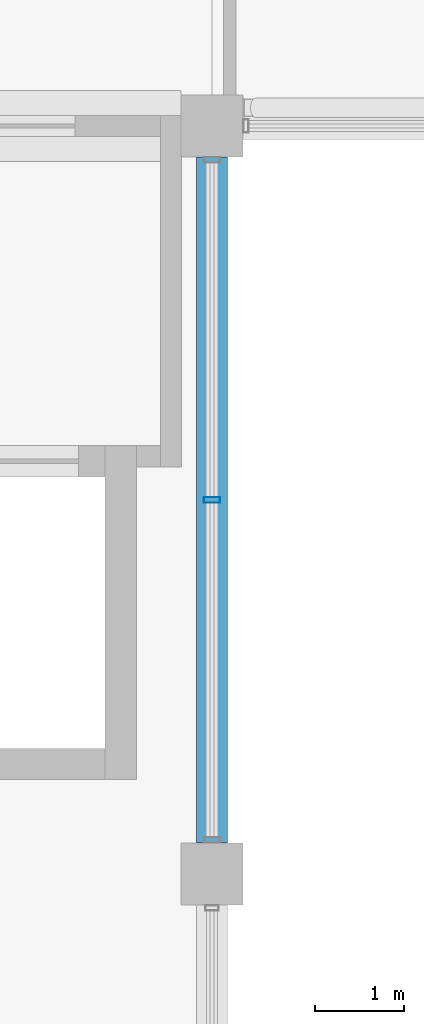
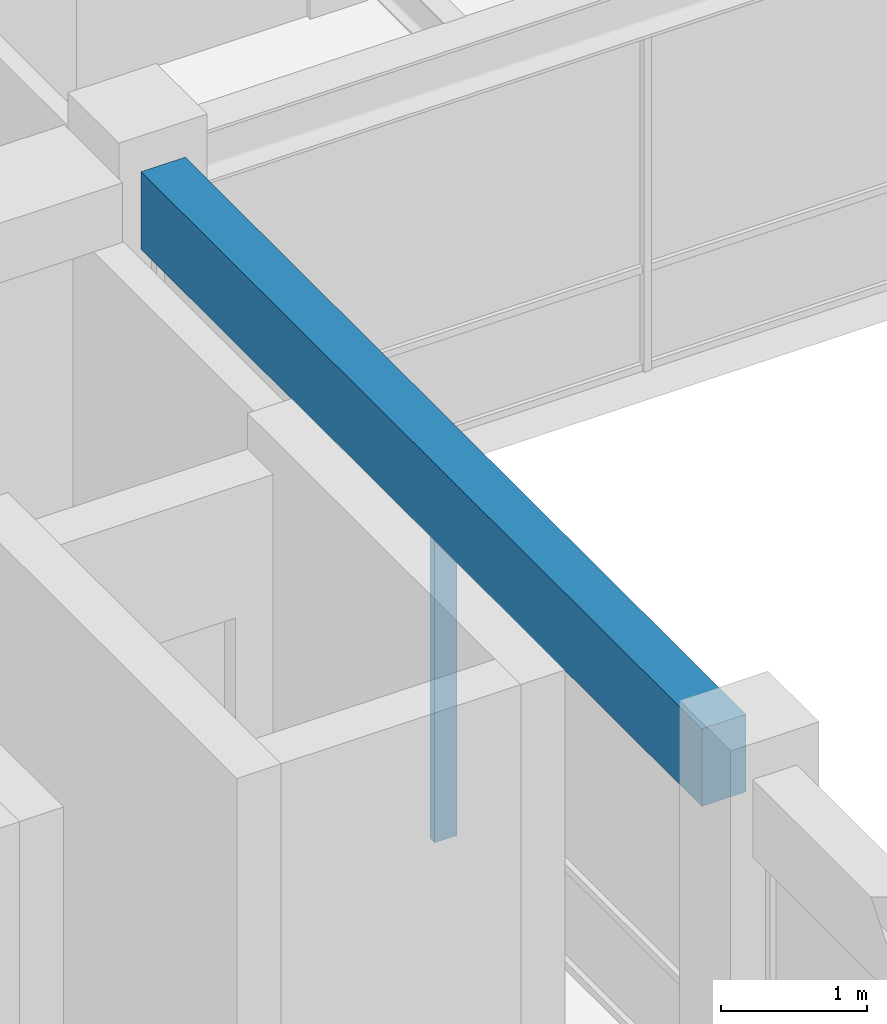
# One storey, part 7 of 49: 1 beam, 1 member, 1 element without a shape of its own.
"""IFC4 building model written with IfcOpenShell, lengths in metres."""

import ifcopenshell
import ifcopenshell.guid

model = None  # the IFC model being written
_history = None  # IfcOwnerHistory: only IFC2X3 demands one
_inside = {}  # id of a spatial element -> (the spatial element, [elements in it])
_under = {}  # id of a project, library or spatial element -> (it, [spatial elements below it])
_declared = {}  # id of a project -> (the project, [libraries it declares])
_typed = {}  # id of a type object -> (the type object, [elements of that type])
_made_of = {}  # id of a material, layer set ... -> (it, [elements and type objects made of it])


def new_model(schema):
    """Start an empty IFC model of exactly this schema.

    Asked for "IFC4X3", IfcOpenShell would pick the latest addendum, in which some entities
    have other attributes; the version numbers below select the first issue.
    IFC2X3 requires an IfcOwnerHistory on every rooted entity: one is made here for all.
    """
    global model, _history
    if schema == "IFC4X3":
        model = ifcopenshell.file(schema_version=(4, 3, 0, 0))
    else:
        model = ifcopenshell.file(schema=schema)
    _inside.clear()
    _under.clear()
    _declared.clear()
    _typed.clear()
    _made_of.clear()
    _history = None
    if model.schema == "IFC2X3":
        org = make("IfcOrganization", Name="unknown")
        user = make(
            "IfcPersonAndOrganization",
            ThePerson=make("IfcPerson", FamilyName="unknown"),
            TheOrganization=org,
        )
        app = make(
            "IfcApplication",
            ApplicationDeveloper=org,
            Version="unknown",
            ApplicationFullName="unknown",
            ApplicationIdentifier="unknown",
        )
        _history = make(
            "IfcOwnerHistory",
            OwningUser=user,
            OwningApplication=app,
            ChangeAction="ADDED",
            CreationDate=0,
        )
    return model


def make(cls, **values):
    """One entity of the class cls with the attributes given. An attribute that is None is left unset."""
    return model.create_entity(
        cls, **{name: value for name, value in values.items() if value is not None}
    )


def rooted(cls, **values):
    """An entity with a GlobalId (a new one), such as an element, a storey or a relation."""
    return make(cls, GlobalId=ifcopenshell.guid.new(), OwnerHistory=_history, **values)


def si_unit(unit_type, name, prefix=None):
    """IfcSIUnit, for example si_unit("LENGTHUNIT", "METRE", prefix="MILLI")."""
    return make("IfcSIUnit", UnitType=unit_type, Prefix=prefix, Name=name)


def assignment(units):
    """IfcUnitAssignment: the units of a project."""
    return None if units is None else make("IfcUnitAssignment", Units=units)


def point(xyz):
    """IfcCartesianPoint."""
    return None if xyz is None else make("IfcCartesianPoint", Coordinates=xyz)


def direction(xyz):
    """IfcDirection."""
    return None if xyz is None else make("IfcDirection", DirectionRatios=xyz)


def frame(location, z_axis=None, x_axis=None):
    """IfcAxis2Placement3D, a coordinate frame: its origin and axes. An axis left out is left unset."""
    return make(
        "IfcAxis2Placement3D",
        Location=point(location),
        Axis=direction(z_axis),
        RefDirection=direction(x_axis),
    )


def frame_2d(location, x_axis=None):
    """IfcAxis2Placement2D, a coordinate frame in the plane: its origin and x axis."""
    return make(
        "IfcAxis2Placement2D", Location=point(location), RefDirection=direction(x_axis)
    )


def origin():
    """The frame at (0, 0, 0) with its axes left unset."""
    return frame((0.0, 0.0, 0.0))


def origin_2d():
    """The frame at (0, 0) in the plane with its x axis left unset."""
    return frame_2d((0.0, 0.0))


def place(relative_to, where):
    """IfcLocalPlacement: puts the frame where relative to a parent placement (None: the world)."""
    return make(
        "IfcLocalPlacement", PlacementRelTo=relative_to, RelativePlacement=where
    )


def context(
    kind, dimensions, precision=None, world=None, true_north=None, identifier=None
):
    """IfcGeometricRepresentationContext, for example the 3D "Model" context."""
    return make(
        "IfcGeometricRepresentationContext",
        ContextIdentifier=identifier,
        ContextType=kind,
        CoordinateSpaceDimension=dimensions,
        Precision=precision,
        WorldCoordinateSystem=world,
        TrueNorth=true_north,
    )


def subcontext(parent, identifier, kind, view, scale=None):
    """IfcGeometricRepresentationSubContext, for example "Body" below "Model"."""
    return make(
        "IfcGeometricRepresentationSubContext",
        ContextIdentifier=identifier,
        ContextType=kind,
        ParentContext=parent,
        TargetScale=scale,
        TargetView=view,
    )


def project(units=None, contexts=None):
    """IfcProject with its units and contexts."""
    return rooted(
        "IfcProject",
        Name="project",
        RepresentationContexts=contexts,
        UnitsInContext=assignment(units),
    )


def spatial(cls, under=None, at=None, **own):
    """A site, building, storey or space (cls), placed at a placement, below another one or the project."""
    s = rooted(cls, ObjectPlacement=at, **own)
    if under is not None:
        _under.setdefault(under.id(), (under, []))[1].append(s)
    return s


def profile(cls, at=None, kind="AREA", **sizes):
    """A parametric profile (cls). Its sizes go by their IFC names, for example OverallWidth=200.0."""
    return make(cls, ProfileType=kind, Position=at, **sizes)


def rectangle(**sizes):
    """IfcRectangleProfileDef."""
    return profile("IfcRectangleProfileDef", **sizes)


def hollow_rectangle(**sizes):
    """IfcRectangleHollowProfileDef."""
    return profile("IfcRectangleHollowProfileDef", **sizes)


def extrude(swept, where, along, depth):
    """IfcExtrudedAreaSolid: the profile swept, set in the frame where, extruded along a direction by depth."""
    return make(
        "IfcExtrudedAreaSolid",
        SweptArea=swept,
        Position=where,
        ExtrudedDirection=direction(along),
        Depth=depth,
    )


def shape(context_of_items, identifier, shape_type, items):
    """IfcShapeRepresentation: the items that make up one representation, for example the "Body"."""
    return make(
        "IfcShapeRepresentation",
        ContextOfItems=context_of_items,
        RepresentationIdentifier=identifier,
        RepresentationType=shape_type,
        Items=items,
    )


def material(Name=None, Category=None):
    """IfcMaterial."""
    return make("IfcMaterial", Name=Name, Category=Category)


def material_profile(
    of_material, cross_section, Name=None, Category=None, Priority=None
):
    """IfcMaterialProfile: a cross section and its material."""
    return make(
        "IfcMaterialProfile",
        Name=Name,
        Material=of_material,
        Profile=cross_section,
        Priority=Priority,
        Category=Category,
    )


def profile_set(profiles, Name=None, composite=None):
    """IfcMaterialProfileSet."""
    return make(
        "IfcMaterialProfileSet",
        Name=Name,
        MaterialProfiles=profiles,
        CompositeProfile=composite,
    )


def made_of(thing, what):
    """Note that an element or type object is made of a material, layer set ...; save() writes the relation."""
    if what is not None:
        _made_of.setdefault(what.id(), (what, []))[1].append(thing)
    return thing


def type_object(cls, material=None, **own):
    """A type object (cls), such as IfcWallType, which elements share."""
    return made_of(rooted(cls, **own), material)


def element(
    cls,
    number,
    at=None,
    inside=None,
    cuts=None,
    type_object=None,
    material=None,
    context=None,
    identifier="Body",
    shape_type=None,
    held_by="IfcProductDefinitionShape",
    body=None,
    shapes=None,
    **own,
):
    """One element of the class cls, such as IfcWall. Its Tag is "e" and its number.

    at: its placement. inside: the storey or other place that contains it. cuts: it is an
    opening in that element (IfcRelVoidsElement). A single representation is given by context,
    identifier, shape_type and body (its items); several are given by shapes. held_by: the class
    of the entity that holds the representations. save() writes the other relations.
    """
    e = rooted(cls, Tag="e%d" % number, ObjectPlacement=at, **own)
    if body is not None:
        shapes = [shape(context, identifier, shape_type, body)]
    if shapes is not None:
        e.Representation = make(held_by, Representations=shapes)
    if inside is not None:
        _inside.setdefault(inside.id(), (inside, []))[1].append(e)
    if cuts is not None:
        rooted(
            "IfcRelVoidsElement", RelatingBuildingElement=cuts, RelatedOpeningElement=e
        )
    if type_object is not None:
        _typed.setdefault(type_object.id(), (type_object, []))[1].append(e)
    return made_of(e, material)


def aggregate(whole, parts):
    """IfcRelAggregates: a whole, such as a stair, and the parts it consists of."""
    return rooted("IfcRelAggregates", RelatingObject=whole, RelatedObjects=parts)


def save(model, path):
    """Write the relations noted so far, then the file.

    IfcRelAggregates (storeys below a building ...), IfcRelContainedInSpatialStructure (elements
    in a storey), IfcRelDefinesByType, IfcRelAssociatesMaterial and IfcRelDeclares: one each for
    every whole, place, type object, material and project.
    """
    for whole, parts in _under.values():
        aggregate(whole, parts)
    for where, things in _inside.values():
        rooted(
            "IfcRelContainedInSpatialStructure",
            RelatedElements=things,
            RelatingStructure=where,
        )
    for kind, things in _typed.values():
        rooted("IfcRelDefinesByType", RelatedObjects=things, RelatingType=kind)
    for what, things in _made_of.values():
        rooted("IfcRelAssociatesMaterial", RelatedObjects=things, RelatingMaterial=what)
    for by, libraries in _declared.values():
        rooted("IfcRelDeclares", RelatingContext=by, RelatedDefinitions=libraries)
    model.write(path)


model = new_model("IFC4")

# Units and contexts
model_context = context("Model", 3, precision=1e-05, world=origin(), true_north=direction((0.0, 1.0)))
body_context = subcontext(model_context, "Body", "Model", "MODEL_VIEW")
ifc_project = project(units=[si_unit("LENGTHUNIT", "METRE"), si_unit("AREAUNIT", "SQUARE_METRE"), si_unit("VOLUMEUNIT", "CUBIC_METRE"), si_unit("PLANEANGLEUNIT", "RADIAN"), si_unit("MASSUNIT", "GRAM", prefix="KILO"), si_unit("THERMODYNAMICTEMPERATUREUNIT", "KELVIN"), si_unit("POWERUNIT", "WATT")], contexts=[model_context])

# Site, building, storey
site_placement = place(None, origin())
site = spatial("IfcSite", under=ifc_project, at=site_placement, CompositionType="ELEMENT")
building_placement = place(site_placement, origin())
building = spatial("IfcBuilding", under=site, at=building_placement, Name="Srebrne Nadtorze General Hospital", CompositionType="ELEMENT")
storey_placement = place(building_placement, frame((0.0, 0.0, 26.10009765625)))
storey = spatial("IfcBuildingStorey", under=building, at=storey_placement, Name="L06", CompositionType="ELEMENT", Elevation=26.10009765625)

# Curtain wall, member
ifc_material_1 = material(Name="Anodised Aluminium", Category="aluminium")
curtain_wall_type = type_object("IfcCurtainWallType", Name="Unitised curtain wall 7700x2650", PredefinedType="NOTDEFINED", material=ifc_material_1)
curtain_wall_placement = place(storey_placement, origin())
curtain_wall = element("IfcCurtainWall", 1, at=curtain_wall_placement, inside=storey, type_object=curtain_wall_type, Name="Curtain wall CW-151", PredefinedType="NOTDEFINED")
ifc_material_2 = material(Name="Anodised Aluminium", Category="aluminium")
ifc_material_profile_1 = material_profile(ifc_material_2, hollow_rectangle(XDim=0.06494140625, YDim=0.179931640625, WallThickness=0.00390625, at=origin_2d()), Name="AL-MUL-65x180")
ifc_profile_set_1 = profile_set([ifc_material_profile_1], Name="Anodised Aluminium")
member_type = type_object("IfcMemberType", Name="Curtain mullion 65x180", PredefinedType="MULLION", material=ifc_profile_set_1)
member_placement = place(storey_placement, frame((54.60009765625, 46.199951171875, 0.0), z_axis=(0.0, 0.0, 1.0), x_axis=(0.0, 1.0, 0.0)))
member = element("IfcMember", 2, at=member_placement, type_object=member_type, Name="CW-151 mullion 2", PredefinedType="MULLION", context=body_context, shape_type="SweptSolid", body=[
    extrude(hollow_rectangle(XDim=0.06494140625, YDim=0.179931640625, WallThickness=0.00390625, at=origin_2d()), origin(), (0.0, 0.0, 1.0), 2.64990234375),
])
aggregate(curtain_wall, [member])

# Beam
ifc_material_3 = material(Name="Concrete C35/45", Category="concrete")
ifc_material_profile_2 = material_profile(ifc_material_3, rectangle(XDim=0.35009765625, YDim=0.64990234375, at=origin_2d()), Name="RC-BM-350x650")
ifc_profile_set_2 = profile_set([ifc_material_profile_2], Name="Concrete C35/45")
beam_type = type_object("IfcBeamType", Name="Edge beam RC 350x650", PredefinedType="BEAM", material=ifc_profile_set_2)
beam_placement = place(storey_placement, frame((54.60009765625, 42.35009765625, 2.974853515625), z_axis=(0.0, 1.0, 0.0), x_axis=(-1.0, 0.0, 0.0)))
element("IfcBeam", 3, at=beam_placement, inside=storey, type_object=beam_type, Name="Beam BM-L06-Y-1212", PredefinedType="BEAM", context=body_context, shape_type="SweptSolid", body=[
    extrude(rectangle(XDim=0.35009765625, YDim=0.64990234375, at=origin_2d()), origin(), (0.0, 0.0, 1.0), 7.699951171875),
])

save(model, "model.ifc")
